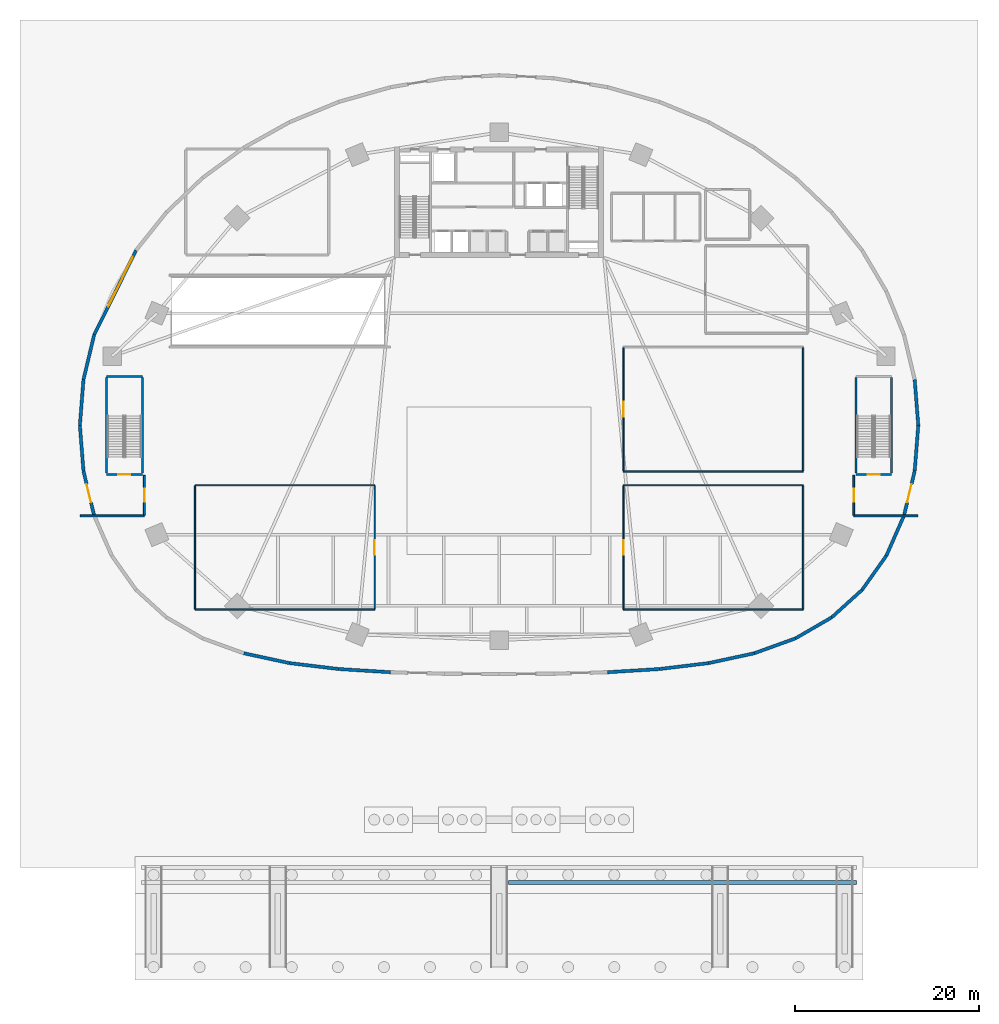
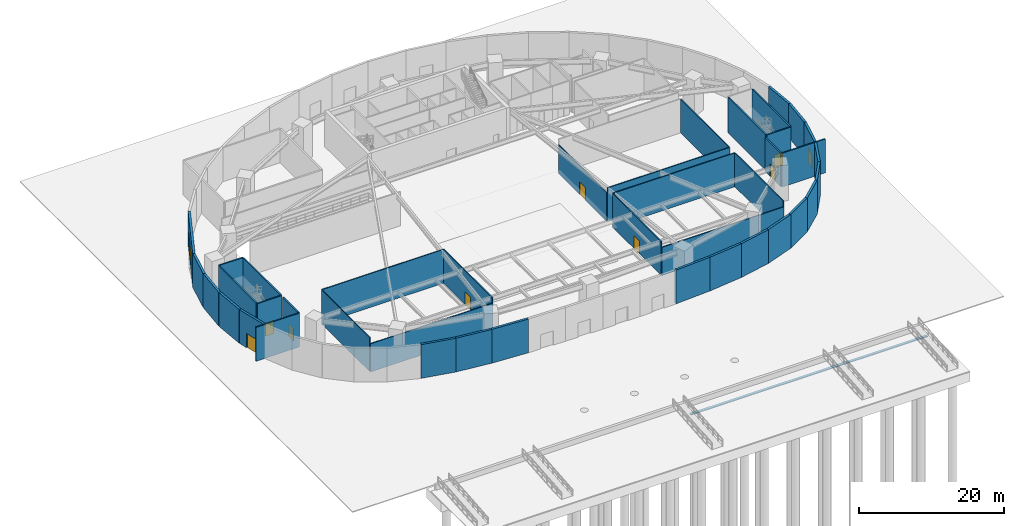
# One storey, part 3 of 14: 42 walls, 10 doors, 10 openings.
"""IFC4 building model written with IfcOpenShell, lengths in metres."""

from ifc_helpers import new_model, si_unit, direction, frame, frame_2d, origin, place, context, subcontext, project, spatial, rectangle, extrude, source, transform, mapped, material, layer, layer_set, type_object, type_shapes, element, fill, save


model = new_model("IFC4")

# Units and contexts
model_context = context("Model", 3, precision=1e-05, world=origin(), true_north=direction((0.0, 1.0)))
body_context = subcontext(model_context, "Body", "Model", "MODEL_VIEW")
ifc_project = project(units=[si_unit("LENGTHUNIT", "METRE"), si_unit("AREAUNIT", "SQUARE_METRE"), si_unit("VOLUMEUNIT", "CUBIC_METRE"), si_unit("PLANEANGLEUNIT", "RADIAN"), si_unit("MASSUNIT", "GRAM", prefix="KILO")], contexts=[model_context])

# Site, building, storey
site_placement = place(None, origin())
site = spatial("IfcSite", under=ifc_project, at=site_placement, CompositionType="ELEMENT")
building_placement = place(site_placement, origin())
building = spatial("IfcBuilding", under=site, at=building_placement, Name="Breltana Convention Tower", CompositionType="ELEMENT")
storey_placement = place(building_placement, origin())
storey = spatial("IfcBuildingStorey", under=building, at=storey_placement, Name="L00", CompositionType="ELEMENT", Elevation=0.0)

# Walls
ifc_material_1 = material(Name="Concrete C40/50", Category="concrete")
ifc_layer_1 = layer(ifc_material_1, 0.419921875, Name="Concrete C40/50")
ifc_layer_set_1 = layer_set([ifc_layer_1], Name="Concrete C40/50")
wall_type_1 = type_object("IfcWallType", Name="SW-BASE-420", PredefinedType="USERDEFINED", material=ifc_layer_set_1)
shared_shape_1 = source(origin(), body_context, "Body", "SweptSolid", [
    extrude(rectangle(XDim=37.800048828125, YDim=0.419921875, at=frame_2d((18.89990234375, 0.0))), origin(), (0.0, 0.0, 1.0), 0.139892578125),
])
wall_1_placement = place(storey_placement, frame((49.0, -7.60009765625, -1.199951171875), z_axis=(0.0, 0.0, 1.0), x_axis=(1.0, 0.0, 0.0)))
element("IfcWall", 1, at=wall_1_placement, inside=storey, type_object=wall_type_1, Name="L00 Street Apron North-East Bearing Wall", ObjectType="RETAININGWALL", PredefinedType="USERDEFINED", context=body_context, shape_type="MappedRepresentation", body=[
    mapped(shared_shape_1, transform((0.0, 0.0, 0.0), scale=1.0)),
])
ifc_material_2 = material(Name="Limestone Buff Insulated Wall", Category="masonry")
ifc_layer_2 = layer(ifc_material_2, 0.35009765625, Name="Limestone Buff Insulated Wall")
ifc_layer_set_2 = layer_set([ifc_layer_2], Name="Limestone Buff Insulated Wall")
wall_type_2 = type_object("IfcWallType", Name="WL-EXT-POD-350", PredefinedType="SOLIDWALL", material=ifc_layer_set_2)
shared_shape_2 = source(origin(), body_context, "Body", "SweptSolid", [
    extrude(rectangle(XDim=4.975341796875, YDim=0.35009765625, at=frame_2d((2.48779296875, 0.0))), origin(), (0.0, 0.0, 1.0), 5.699951171875),
])
type_shapes(wall_type_2, [shared_shape_2])
for number, where, z_axis, x_axis, name in (
    (2, (93.110595703125, 46.9599609375, 0.0), (0.0, 0.0, 1.0), (0.07826870534, -0.996932299489, 0.0), "L00 limestone facade wall 1"),
    (3, (2.5, 42.0, 0.0), (0.0, 0.0, 1.0), (0.07826870534, 0.996932299489, 0.0), "L00 limestone facade wall 24"),
    (4, (2.889404296875, 37.0400390625, 0.0), (0.0, 0.0, 1.0), (-0.07826870534, 0.996932299489, 0.0), "L00 limestone facade wall 25"),
    (5, (93.5, 42.0, 0.0), (0.0, 0.0, 1.0), (-0.07826870534, -0.996932299489, 0.0), "L00 limestone facade wall 48"),
):
    element("IfcWall", number, at=place(storey_placement, frame(where, z_axis=z_axis, x_axis=x_axis)), inside=storey, type_object=wall_type_2, Name=name, PredefinedType="SOLIDWALL", context=body_context, shape_type="MappedRepresentation", body=[
        mapped(shared_shape_2, transform((0.0, 0.0, 0.0), scale=1.0)),
    ])
shared_shape_3 = source(origin(), body_context, "Body", "SweptSolid", [
    extrude(rectangle(XDim=5.011474609375, YDim=0.35009765625, at=frame_2d((2.505859375, 0.0))), origin(), (0.0, 0.0, 1.0), 5.699951171875),
])
wall_2_placement = place(storey_placement, frame((2.889404296875, 46.9599609375, 0.0), z_axis=(0.0, 0.0, 1.0), x_axis=(0.23164248061, 0.972800987446, 0.0)))
element("IfcWall", 6, at=wall_2_placement, inside=storey, type_object=wall_type_2, Name="L00 limestone facade wall 23", PredefinedType="SOLIDWALL", context=body_context, shape_type="MappedRepresentation", body=[
    mapped(shared_shape_3, transform((0.0, 0.0, 0.0), scale=1.0)),
])

# Wall, opening, door
shared_shape_4 = source(origin(), body_context, "Body", "SweptSolid", [
    extrude(rectangle(XDim=10.22998046875, YDim=0.35009765625, at=frame_2d((5.114990234375, 0.0))), origin(), (0.0, 0.0, 1.0), 5.699951171875),
])
wall_3_placement = place(storey_placement, frame((4.05029296875, 51.835205078125, 0.0), z_axis=(0.0, 0.0, 1.0), x_axis=(0.444318817457, 0.895868733941, 0.0)))
wall_3 = element("IfcWall", 7, at=wall_3_placement, inside=storey, type_object=wall_type_2, Name="L00 limestone facade wall 21", PredefinedType="SOLIDWALL", context=body_context, shape_type="MappedRepresentation", body=[
    mapped(shared_shape_4, transform((0.0, 0.0, 0.0), scale=1.0)),
])
opening_1_placement = place(wall_3_placement, frame((3.43017578125, 0.0, 0.0)))
opening_1 = element("IfcOpeningElement", 8, at=opening_1_placement, cuts=wall_3, Name="Opening VG-01", PredefinedType="OPENING", context=body_context, shape_type="SweptSolid", body=[
    extrude(rectangle(XDim=6.0, YDim=3.199951171875, at=frame_2d((3.0, 1.60009765625))), frame((0.0, 0.18505859375, 0.0), z_axis=(0.0, -1.0, 0.0), x_axis=(1.0, 0.0, 0.0)), (0.0, 0.0, 1.0), 0.3701171875),
])
ifc_material_3 = material(Name="Aluminium Perforated Security Shutter", Category="aluminium")
door_type_1 = type_object("IfcDoorType", Name="DR-SHUTTER-RAMP-6200", OperationType="ROLLINGUP", PredefinedType="GATE", material=ifc_material_3)
shared_shape_5 = source(origin(), body_context, "Body", "SweptSolid", [
    extrude(rectangle(XDim=6.0, YDim=3.199951171875, at=frame_2d((3.0, 1.60009765625))), frame((0.0, 0.02490234375, 0.0), z_axis=(0.0, -1.0, 0.0), x_axis=(1.0, 0.0, 0.0)), (0.0, 0.0, 1.0), 0.050048828125),
])
type_shapes(door_type_1, [shared_shape_5])
door_1_placement = place(opening_1_placement, origin())
door_1 = element("IfcDoor", 9, at=door_1_placement, inside=storey, type_object=door_type_1, Name="Ground car-park ramp portal vehicular entry roller shutter VG-01", OperationType="ROLLINGUP", OverallHeight=3.199951171875, OverallWidth=6.0, PredefinedType="GATE", context=body_context, shape_type="MappedRepresentation", body=[
    mapped(shared_shape_5, transform((0.0, 0.0, 0.0), scale=1.0)),
])
fill(opening_1, door_1)

shared_shape_6 = source(origin(), body_context, "Body", "SweptSolid", [
    extrude(rectangle(XDim=4.968994140625, YDim=0.35009765625, at=frame_2d((2.484375, 0.0))), origin(), (0.0, 0.0, 1.0), 5.699951171875),
])
wall_4_placement = place(storey_placement, frame((4.05029296875, 32.20849609375, 0.0), z_axis=(0.0, 0.0, 1.0), x_axis=(-0.233623809029, 0.972327062184, 0.0)))
wall_4 = element("IfcWall", 10, at=wall_4_placement, inside=storey, type_object=wall_type_2, Name="L00 limestone facade wall 26", PredefinedType="SOLIDWALL", context=body_context, shape_type="MappedRepresentation", body=[
    mapped(shared_shape_6, transform((0.0, 0.0, 0.0), scale=1.0)),
])
opening_2_placement = place(wall_4_placement, frame((1.484619140625, 0.0, 0.0)))
opening_2 = element("IfcOpeningElement", 11, at=opening_2_placement, cuts=wall_4, Name="Opening ED-01", PredefinedType="OPENING", context=body_context, shape_type="SweptSolid", body=[
    extrude(rectangle(XDim=2.0, YDim=2.39990234375, at=frame_2d((1.0, 1.199951171875))), frame((0.0, 0.18505859375, 0.0), z_axis=(0.0, -1.0, 0.0), x_axis=(1.0, 0.0, 0.0)), (0.0, 0.0, 1.0), 0.3701171875),
])
ifc_material_4 = material(Name="Aluminium Bronze Glazed Door", Category="aluminium")
door_type_2 = type_object("IfcDoorType", Name="DR-EXT-DBL-2000", OperationType="DOUBLE_DOOR_SINGLE_SWING", PredefinedType="DOOR", material=ifc_material_4)
shared_shape_7 = source(origin(), body_context, "Body", "SweptSolid", [
    extrude(rectangle(XDim=2.0, YDim=2.39990234375, at=frame_2d((1.0, 1.199951171875))), frame((0.0, 0.02490234375, 0.0), z_axis=(0.0, -1.0, 0.0), x_axis=(1.0, 0.0, 0.0)), (0.0, 0.0, 1.0), 0.050048828125),
])
type_shapes(door_type_2, [shared_shape_7])
door_2_placement = place(opening_2_placement, origin())
door_2 = element("IfcDoor", 12, at=door_2_placement, inside=storey, type_object=door_type_2, Name="Protected exit passageway L00-EXP-W (ST-3) exterior exit door", OperationType="DOUBLE_DOOR_SINGLE_SWING", OverallHeight=2.39990234375, OverallWidth=2.0, PredefinedType="DOOR", context=body_context, shape_type="MappedRepresentation", body=[
    mapped(shared_shape_7, transform((0.0, 0.0, 0.0), scale=1.0)),
])
fill(opening_2, door_2)

wall_5_placement = place(storey_placement, frame((93.110595703125, 37.0400390625, 0.0), z_axis=(0.0, 0.0, 1.0), x_axis=(-0.233623809029, -0.972327062184, 0.0)))
wall_5 = element("IfcWall", 13, at=wall_5_placement, inside=storey, type_object=wall_type_2, Name="L00 limestone facade wall 47", PredefinedType="SOLIDWALL", context=body_context, shape_type="MappedRepresentation", body=[
    mapped(shared_shape_6, transform((0.0, 0.0, 0.0), scale=1.0)),
])
opening_3_placement = place(wall_5_placement, frame((1.484619140625, 0.0, 0.0)))
opening_3 = element("IfcOpeningElement", 14, at=opening_3_placement, cuts=wall_5, Name="Opening ED-01", PredefinedType="OPENING", context=body_context, shape_type="SweptSolid", body=[
    extrude(rectangle(XDim=2.0, YDim=2.39990234375, at=frame_2d((1.0, 1.199951171875))), frame((0.0, 0.18505859375, 0.0), z_axis=(0.0, -1.0, 0.0), x_axis=(1.0, 0.0, 0.0)), (0.0, 0.0, 1.0), 0.3701171875),
])
door_3_placement = place(opening_3_placement, origin())
door_3 = element("IfcDoor", 15, at=door_3_placement, inside=storey, type_object=door_type_2, Name="Protected exit passageway L00-EXP-E (ST-4) exterior exit door", OperationType="DOUBLE_DOOR_SINGLE_SWING", OverallHeight=2.39990234375, OverallWidth=2.0, PredefinedType="DOOR", context=body_context, shape_type="MappedRepresentation", body=[
    mapped(shared_shape_7, transform((0.0, 0.0, 0.0), scale=1.0)),
])
fill(opening_3, door_3)

# Walls
shared_shape_8 = source(origin(), body_context, "Body", "SweptSolid", [
    extrude(rectangle(XDim=4.756103515625, YDim=0.35009765625, at=frame_2d((2.3779296875, 0.0))), origin(), (0.0, 0.0, 1.0), 5.699951171875),
])
wall_6_placement = place(storey_placement, frame((91.94970703125, 32.20849609375, 0.0), z_axis=(0.0, 0.0, 1.0), x_axis=(-0.402248274654, -0.915530625123, 0.0)))
element("IfcWall", 16, at=wall_6_placement, inside=storey, type_object=wall_type_2, Name="L00 limestone facade wall 46", PredefinedType="SOLIDWALL", context=body_context, shape_type="MappedRepresentation", body=[
    mapped(shared_shape_8, transform((0.0, 0.0, 0.0), scale=1.0)),
])
shared_shape_9 = source(origin(), body_context, "Body", "SweptSolid", [
    extrude(rectangle(XDim=4.54833984375, YDim=0.35009765625, at=frame_2d((2.274169921875, 0.0))), origin(), (0.0, 0.0, 1.0), 5.699951171875),
])
wall_7_placement = place(storey_placement, frame((90.03662109375, 27.854248046875, 0.0), z_axis=(0.0, 0.0, 1.0), x_axis=(-0.578742399763, -0.815510413616, 0.0)))
element("IfcWall", 17, at=wall_7_placement, inside=storey, type_object=wall_type_2, Name="L00 limestone facade wall 45", PredefinedType="SOLIDWALL", context=body_context, shape_type="MappedRepresentation", body=[
    mapped(shared_shape_9, transform((0.0, 0.0, 0.0), scale=1.0)),
])
shared_shape_10 = source(origin(), body_context, "Body", "SweptSolid", [
    extrude(rectangle(XDim=4.458740234375, YDim=0.35009765625, at=frame_2d((2.2294921875, 0.0))), origin(), (0.0, 0.0, 1.0), 5.699951171875),
])
wall_8_placement = place(storey_placement, frame((87.404296875, 24.14501953125, 0.0), z_axis=(0.0, 0.0, 1.0), x_axis=(-0.741620092595, -0.670820123625, 0.0)))
element("IfcWall", 18, at=wall_8_placement, inside=storey, type_object=wall_type_2, Name="L00 limestone facade wall 44", PredefinedType="SOLIDWALL", context=body_context, shape_type="MappedRepresentation", body=[
    mapped(shared_shape_10, transform((0.0, 0.0, 0.0), scale=1.0)),
])
shared_shape_11 = source(origin(), body_context, "Body", "SweptSolid", [
    extrude(rectangle(XDim=4.535400390625, YDim=0.35009765625, at=frame_2d((2.267578125, 0.0))), origin(), (0.0, 0.0, 1.0), 5.699951171875),
])
wall_9_placement = place(storey_placement, frame((84.09765625, 21.154052734375, 0.0), z_axis=(0.0, 0.0, 1.0), x_axis=(-0.86528620064, -0.501278157295, 0.0)))
element("IfcWall", 19, at=wall_9_placement, inside=storey, type_object=wall_type_2, Name="L00 limestone facade wall 43", PredefinedType="SOLIDWALL", context=body_context, shape_type="MappedRepresentation", body=[
    mapped(shared_shape_11, transform((0.0, 0.0, 0.0), scale=1.0)),
])
shared_shape_12 = source(origin(), body_context, "Body", "SweptSolid", [
    extrude(rectangle(XDim=4.75830078125, YDim=0.35009765625, at=frame_2d((2.379150390625, 0.0))), origin(), (0.0, 0.0, 1.0), 5.699951171875),
])
wall_10_placement = place(storey_placement, frame((80.17333984375, 18.880615234375, 0.0), z_axis=(0.0, 0.0, 1.0), x_axis=(-0.940419515454, -0.340016374538, 0.0)))
element("IfcWall", 20, at=wall_10_placement, inside=storey, type_object=wall_type_2, Name="L00 limestone facade wall 42", PredefinedType="SOLIDWALL", context=body_context, shape_type="MappedRepresentation", body=[
    mapped(shared_shape_12, transform((0.0, 0.0, 0.0), scale=1.0)),
])
shared_shape_13 = source(origin(), body_context, "Body", "SweptSolid", [
    extrude(rectangle(XDim=5.062255859375, YDim=0.35009765625, at=frame_2d((2.53125, 0.0))), origin(), (0.0, 0.0, 1.0), 5.699951171875),
])
for number, where, z_axis, x_axis, name in (
    (21, (25.25, 16.196044921875, 0.0), (0.0, 0.0, 1.0), (-0.977548321811, 0.210711363066, 0.0), "L00 limestone facade wall 32"),
    (22, (75.698486328125, 17.2626953125, 0.0), (0.0, 0.0, 1.0), (-0.977548321811, -0.210711363066, 0.0), "L00 limestone facade wall 41"),
):
    element("IfcWall", number, at=place(storey_placement, frame(where, z_axis=z_axis, x_axis=x_axis)), inside=storey, type_object=wall_type_2, Name=name, PredefinedType="SOLIDWALL", context=body_context, shape_type="MappedRepresentation", body=[
        mapped(shared_shape_13, transform((0.0, 0.0, 0.0), scale=1.0)),
    ])
shared_shape_14 = source(origin(), body_context, "Body", "SweptSolid", [
    extrude(rectangle(XDim=5.37646484375, YDim=0.35009765625, at=frame_2d((2.688232421875, 0.0))), origin(), (0.0, 0.0, 1.0), 5.699951171875),
])
for number, where, z_axis, x_axis, name in (
    (23, (30.587890625, 15.552734375, 0.0), (0.0, 0.0, 1.0), (-0.992815901624, 0.119651934723, 0.0), "L00 limestone facade wall 33"),
    (24, (70.75, 16.196044921875, 0.0), (0.0, 0.0, 1.0), (-0.992815901624, -0.119651934723, 0.0), "L00 limestone facade wall 40"),
):
    element("IfcWall", number, at=place(storey_placement, frame(where, z_axis=z_axis, x_axis=x_axis)), inside=storey, type_object=wall_type_2, Name=name, PredefinedType="SOLIDWALL", context=body_context, shape_type="MappedRepresentation", body=[
        mapped(shared_shape_14, transform((0.0, 0.0, 0.0), scale=1.0)),
    ])
shared_shape_15 = source(origin(), body_context, "Body", "SweptSolid", [
    extrude(rectangle(XDim=5.646484375, YDim=0.35009765625, at=frame_2d((2.8232421875, 0.0))), origin(), (0.0, 0.0, 1.0), 5.699951171875),
])
for number, where, z_axis, x_axis, name in (
    (25, (36.2236328125, 15.205078125, 0.0), (0.0, 0.0, 1.0), (-0.998102723982, 0.061570710403, 0.0), "L00 limestone facade wall 34"),
    (26, (65.412109375, 15.552734375, 0.0), (0.0, 0.0, 1.0), (-0.998102723982, -0.061570710403, 0.0), "L00 limestone facade wall 39"),
):
    element("IfcWall", number, at=place(storey_placement, frame(where, z_axis=z_axis, x_axis=x_axis)), inside=storey, type_object=wall_type_2, Name=name, PredefinedType="SOLIDWALL", context=body_context, shape_type="MappedRepresentation", body=[
        mapped(shared_shape_15, transform((0.0, 0.0, 0.0), scale=1.0)),
    ])

# Wall, opening, door
ifc_layer_3 = layer(ifc_material_1, 0.219970703125, Name="Concrete C40/50")
ifc_layer_set_3 = layer_set([ifc_layer_3], Name="Concrete C40/50")
wall_type_3 = type_object("IfcWallType", Name="WL-SHAFT-220", PredefinedType="SOLIDWALL", material=ifc_layer_set_3)
shared_shape_16 = source(origin(), body_context, "Body", "SweptSolid", [
    extrude(rectangle(XDim=3.89013671875, YDim=0.219970703125, at=frame_2d((1.945068359375, 0.0))), origin(), (0.0, 0.0, 1.0), 6.0),
])
wall_11_placement = place(storey_placement, frame((5.389892578125, 36.68994140625, 0.0), z_axis=(0.0, 0.0, 1.0), x_axis=(1.0, 0.0, 0.0)))
wall_11 = element("IfcWall", 27, at=wall_11_placement, inside=storey, type_object=wall_type_3, Name="L00 interior partition W-L00-ST3-S", PredefinedType="SOLIDWALL", context=body_context, shape_type="MappedRepresentation", body=[
    mapped(shared_shape_16, transform((0.0, 0.0, 0.0), scale=1.0)),
])
opening_4_placement = place(wall_11_placement, frame((1.294921875, 0.0, 0.0)))
opening_4 = element("IfcOpeningElement", 28, at=opening_4_placement, cuts=wall_11, Name="Opening D-08", PredefinedType="OPENING", context=body_context, shape_type="SweptSolid", body=[
    extrude(rectangle(XDim=1.300048828125, YDim=2.14990234375, at=frame_2d((0.64990234375, 1.074951171875))), frame((0.0, 0.1201171875, 0.0), z_axis=(0.0, -1.0, 0.0), x_axis=(1.0, 0.0, 0.0)), (0.0, 0.0, 1.0), 0.239990234375),
])
ifc_material_5 = material(Name="Steel Fire Exit Door", Category="steel")
door_type_3 = type_object("IfcDoorType", Name="DR-FD120-1300", OperationType="NOTDEFINED", PredefinedType="DOOR", material=ifc_material_5)
shared_shape_17 = source(origin(), body_context, "Body", "SweptSolid", [
    extrude(rectangle(XDim=1.300048828125, YDim=2.14990234375, at=frame_2d((0.64990234375, 1.074951171875))), frame((0.0, 0.02490234375, 0.0), z_axis=(0.0, -1.0, 0.0), x_axis=(1.0, 0.0, 0.0)), (0.0, 0.0, 1.0), 0.050048828125),
])
type_shapes(door_type_3, [shared_shape_17])
door_4_placement = place(opening_4_placement, origin())
door_4 = element("IfcDoor", 29, at=door_4_placement, inside=storey, type_object=door_type_3, Name="L00 interior door D-L00-ST3", OperationType="SINGLE_SWING_RIGHT", OverallHeight=2.14990234375, OverallWidth=1.300048828125, PredefinedType="DOOR", context=body_context, shape_type="MappedRepresentation", body=[
    mapped(shared_shape_17, transform((0.0, 0.0, 0.0), scale=1.0)),
])
fill(opening_4, door_4)

# Wall
wall_12_placement = place(storey_placement, frame((5.389892578125, 47.31005859375, 0.0), z_axis=(0.0, 0.0, 1.0), x_axis=(1.0, 0.0, 0.0)))
element("IfcWall", 30, at=wall_12_placement, inside=storey, type_object=wall_type_3, Name="L00 interior partition W-L00-ST3-N", PredefinedType="SOLIDWALL", context=body_context, shape_type="MappedRepresentation", body=[
    mapped(shared_shape_16, transform((0.0, 0.0, 0.0), scale=1.0)),
])

# Wall, opening, door
wall_13_placement = place(storey_placement, frame((86.719970703125, 36.68994140625, 0.0), z_axis=(0.0, 0.0, 1.0), x_axis=(1.0, 0.0, 0.0)))
wall_13 = element("IfcWall", 31, at=wall_13_placement, inside=storey, type_object=wall_type_3, Name="L00 interior partition W-L00-ST4-S", PredefinedType="SOLIDWALL", context=body_context, shape_type="MappedRepresentation", body=[
    mapped(shared_shape_16, transform((0.0, 0.0, 0.0), scale=1.0)),
])
opening_5_placement = place(wall_13_placement, frame((1.294921875, 0.0, 0.0)))
opening_5 = element("IfcOpeningElement", 32, at=opening_5_placement, cuts=wall_13, Name="Opening D-08", PredefinedType="OPENING", context=body_context, shape_type="SweptSolid", body=[
    extrude(rectangle(XDim=1.300048828125, YDim=2.14990234375, at=frame_2d((0.64990234375, 1.074951171875))), frame((0.0, 0.1201171875, 0.0), z_axis=(0.0, -1.0, 0.0), x_axis=(1.0, 0.0, 0.0)), (0.0, 0.0, 1.0), 0.239990234375),
])
door_5_placement = place(opening_5_placement, origin())
door_5 = element("IfcDoor", 33, at=door_5_placement, inside=storey, type_object=door_type_3, Name="L00 interior door D-L00-ST4", OperationType="SINGLE_SWING_RIGHT", OverallHeight=2.14990234375, OverallWidth=1.300048828125, PredefinedType="DOOR", context=body_context, shape_type="MappedRepresentation", body=[
    mapped(shared_shape_17, transform((0.0, 0.0, 0.0), scale=1.0)),
])
fill(opening_5, door_5)

# Walls
shared_shape_18 = source(origin(), body_context, "Body", "SweptSolid", [
    extrude(rectangle(XDim=10.3798828125, YDim=0.219970703125, at=frame_2d((5.18994140625, 0.0))), origin(), (0.0, 0.0, 1.0), 6.0),
])
for number, where, z_axis, x_axis, name in (
    (34, (5.389892578125, 36.81005859375, 0.0), (0.0, 0.0, 1.0), (0.0, 1.0, 0.0), "L00 interior partition W-L00-ST3-W"),
    (35, (9.280029296875, 36.81005859375, 0.0), (0.0, 0.0, 1.0), (0.0, 1.0, 0.0), "L00 interior partition W-L00-ST3-E"),
    (36, (86.719970703125, 36.81005859375, 0.0), (0.0, 0.0, 1.0), (0.0, 1.0, 0.0), "L00 interior partition W-L00-ST4-W"),
    (37, (90.610107421875, 36.81005859375, 0.0), (0.0, 0.0, 1.0), (0.0, 1.0, 0.0), "L00 interior partition W-L00-ST4-E"),
):
    element("IfcWall", number, at=place(storey_placement, frame(where, z_axis=z_axis, x_axis=x_axis)), inside=storey, type_object=wall_type_3, Name=name, PredefinedType="SOLIDWALL", context=body_context, shape_type="MappedRepresentation", body=[
        mapped(shared_shape_18, transform((0.0, 0.0, 0.0), scale=1.0)),
    ])
ifc_material_6 = material(Name="Autoclaved Aerated Concrete Block", Category="concrete")
ifc_layer_4 = layer(ifc_material_6, 0.199951171875, Name="Autoclaved Aerated Concrete Block")
ifc_layer_set_4 = layer_set([ifc_layer_4], Name="Autoclaved Aerated Concrete Block")
wall_type_4 = type_object("IfcWallType", Name="WL-SHAFT-200", PredefinedType="SOLIDWALL", material=ifc_layer_set_4)
shared_shape_19 = source(origin(), body_context, "Body", "SweptSolid", [
    extrude(rectangle(XDim=6.949951171875, YDim=0.199951171875, at=frame_2d((3.47509765625, 0.0))), origin(), (0.0, 0.0, 1.0), 5.699951171875),
])
for number, where, z_axis, x_axis, name in (
    (38, (2.550048828125, 32.179931640625, 0.0), (0.0, 0.0, 1.0), (1.0, 0.0, 0.0), "L00 interior partition W-L00-EXP-W-S"),
    (39, (86.5, 32.179931640625, 0.0), (0.0, 0.0, 1.0), (1.0, 0.0, 0.0), "L00 interior partition W-L00-EXP-E-S"),
):
    element("IfcWall", number, at=place(storey_placement, frame(where, z_axis=z_axis, x_axis=x_axis)), inside=storey, type_object=wall_type_4, Name=name, PredefinedType="SOLIDWALL", context=body_context, shape_type="MappedRepresentation", body=[
        mapped(shared_shape_19, transform((0.0, 0.0, 0.0), scale=1.0)),
    ])

# Wall, opening, door
shared_shape_20 = source(origin(), body_context, "Body", "SweptSolid", [
    extrude(rectangle(XDim=4.2900390625, YDim=0.199951171875, at=frame_2d((2.14501953125, 0.0))), origin(), (0.0, 0.0, 1.0), 5.699951171875),
])
wall_14_placement = place(storey_placement, frame((9.5, 32.27001953125, 0.0), z_axis=(0.0, 0.0, 1.0), x_axis=(0.0, 1.0, 0.0)))
wall_14 = element("IfcWall", 40, at=wall_14_placement, inside=storey, type_object=wall_type_4, Name="L00 interior partition W-L00-EXP-W-E", PredefinedType="SOLIDWALL", context=body_context, shape_type="MappedRepresentation", body=[
    mapped(shared_shape_20, transform((0.0, 0.0, 0.0), scale=1.0)),
])
opening_6_placement = place(wall_14_placement, frame((1.445068359375, 0.0, 0.0)))
opening_6 = element("IfcOpeningElement", 41, at=opening_6_placement, cuts=wall_14, Name="Opening D-07", PredefinedType="OPENING", context=body_context, shape_type="SweptSolid", body=[
    extrude(rectangle(XDim=1.39990234375, YDim=2.14990234375, at=frame_2d((0.699951171875, 1.074951171875))), frame((0.0, 0.10986328125, 0.0), z_axis=(0.0, -1.0, 0.0), x_axis=(1.0, 0.0, 0.0)), (0.0, 0.0, 1.0), 0.219970703125),
])
door_type_4 = type_object("IfcDoorType", Name="DR-FD120-1400", OperationType="NOTDEFINED", PredefinedType="DOOR", material=ifc_material_5)
shared_shape_21 = source(origin(), body_context, "Body", "SweptSolid", [
    extrude(rectangle(XDim=1.39990234375, YDim=2.14990234375, at=frame_2d((0.699951171875, 1.074951171875))), frame((0.0, 0.02490234375, 0.0), z_axis=(0.0, -1.0, 0.0), x_axis=(1.0, 0.0, 0.0)), (0.0, 0.0, 1.0), 0.050048828125),
])
type_shapes(door_type_4, [shared_shape_21])
door_6_placement = place(opening_6_placement, origin())
door_6 = element("IfcDoor", 42, at=door_6_placement, inside=storey, type_object=door_type_4, Name="L00 interior door D-L00-EXP-W", OperationType="SINGLE_SWING_LEFT", OverallHeight=2.14990234375, OverallWidth=1.39990234375, PredefinedType="DOOR", context=body_context, shape_type="MappedRepresentation", body=[
    mapped(shared_shape_21, transform((0.0, 0.0, 0.0), scale=1.0)),
])
fill(opening_6, door_6)

wall_15_placement = place(storey_placement, frame((86.5, 32.27001953125, 0.0), z_axis=(0.0, 0.0, 1.0), x_axis=(0.0, 1.0, 0.0)))
wall_15 = element("IfcWall", 43, at=wall_15_placement, inside=storey, type_object=wall_type_4, Name="L00 interior partition W-L00-EXP-E-W", PredefinedType="SOLIDWALL", context=body_context, shape_type="MappedRepresentation", body=[
    mapped(shared_shape_20, transform((0.0, 0.0, 0.0), scale=1.0)),
])
opening_7_placement = place(wall_15_placement, frame((1.445068359375, 0.0, 0.0)))
opening_7 = element("IfcOpeningElement", 44, at=opening_7_placement, cuts=wall_15, Name="Opening D-07", PredefinedType="OPENING", context=body_context, shape_type="SweptSolid", body=[
    extrude(rectangle(XDim=1.39990234375, YDim=2.14990234375, at=frame_2d((0.699951171875, 1.074951171875))), frame((0.0, 0.10986328125, 0.0), z_axis=(0.0, -1.0, 0.0), x_axis=(1.0, 0.0, 0.0)), (0.0, 0.0, 1.0), 0.219970703125),
])
door_7_placement = place(opening_7_placement, origin())
door_7 = element("IfcDoor", 45, at=door_7_placement, inside=storey, type_object=door_type_4, Name="L00 interior door D-L00-EXP-E", OperationType="SINGLE_SWING_RIGHT", OverallHeight=2.14990234375, OverallWidth=1.39990234375, PredefinedType="DOOR", context=body_context, shape_type="MappedRepresentation", body=[
    mapped(shared_shape_21, transform((0.0, 0.0, 0.0), scale=1.0)),
])
fill(opening_7, door_7)

# Walls
ifc_material_7 = material(Name="Gypsum Acoustic Drywall Partition")
ifc_layer_5 = layer(ifc_material_7, 0.14990234375, Name="Gypsum Acoustic Drywall Partition")
ifc_layer_set_5 = layer_set([ifc_layer_5], Name="Gypsum Acoustic Drywall Partition")
wall_type_5 = type_object("IfcWallType", Name="WL-PART-150", PredefinedType="PARTITIONING", material=ifc_layer_set_5)
shared_shape_22 = source(origin(), body_context, "Body", "SweptSolid", [
    extrude(rectangle(XDim=19.5, YDim=0.14990234375, at=frame_2d((9.75, 0.0))), origin(), (0.0, 0.0, 1.0), 4.760986328125),
])
type_shapes(wall_type_5, [shared_shape_22])
for number, where, z_axis, x_axis, name in (
    (46, (15.0, 22.0, 0.0), (0.0, 0.0, 1.0), (1.0, 0.0, 0.0), "L00 interior partition W-L00-REG-S"),
    (47, (61.5, 22.0, 0.0), (0.0, 0.0, 1.0), (1.0, 0.0, 0.0), "L00 interior partition W-L00-DIN-S"),
):
    element("IfcWall", number, at=place(storey_placement, frame(where, z_axis=z_axis, x_axis=x_axis)), inside=storey, type_object=wall_type_5, Name=name, PredefinedType="PARTITIONING", context=body_context, shape_type="MappedRepresentation", body=[
        mapped(shared_shape_22, transform((0.0, 0.0, 0.0), scale=1.0)),
    ])
shared_shape_23 = source(origin(), body_context, "Body", "SweptSolid", [
    extrude(rectangle(XDim=19.5, YDim=0.14990234375, at=frame_2d((9.75, 0.0))), origin(), (0.0, 0.0, 1.0), 5.699951171875),
])
for number, where, z_axis, x_axis, name in (
    (48, (15.0, 35.5, 0.0), (0.0, 0.0, 1.0), (1.0, 0.0, 0.0), "L00 interior partition W-L00-REG-N"),
    (49, (61.5, 35.5, 0.0), (0.0, 0.0, 1.0), (1.0, 0.0, 0.0), "L00 interior partition W-L00-DIN-N"),
    (50, (61.5, 37.0, 0.0), (0.0, 0.0, 1.0), (1.0, 0.0, 0.0), "L00 interior partition W-L00-RTL-S"),
):
    element("IfcWall", number, at=place(storey_placement, frame(where, z_axis=z_axis, x_axis=x_axis)), inside=storey, type_object=wall_type_5, Name=name, PredefinedType="PARTITIONING", context=body_context, shape_type="MappedRepresentation", body=[
        mapped(shared_shape_23, transform((0.0, 0.0, 0.0), scale=1.0)),
    ])
shared_shape_24 = source(origin(), body_context, "Body", "SweptSolid", [
    extrude(rectangle(XDim=13.365234375, YDim=0.14990234375, at=frame_2d((6.6826171875, 0.0))), origin(), (0.0, 0.0, 1.0), 5.699951171875),
])
wall_16_placement = place(storey_placement, frame((15.0, 22.0673828125, 0.0), z_axis=(0.0, 0.0, 1.0), x_axis=(0.0, 1.0, 0.0)))
element("IfcWall", 51, at=wall_16_placement, inside=storey, type_object=wall_type_5, Name="L00 interior partition W-L00-REG-W", PredefinedType="PARTITIONING", context=body_context, shape_type="MappedRepresentation", body=[
    mapped(shared_shape_24, transform((0.0, 0.0, 0.0), scale=1.0)),
])

# Wall, opening, door
wall_17_placement = place(storey_placement, frame((34.5, 22.0673828125, 0.0), z_axis=(0.0, 0.0, 1.0), x_axis=(0.0, 1.0, 0.0)))
wall_17 = element("IfcWall", 52, at=wall_17_placement, inside=storey, type_object=wall_type_5, Name="L00 interior partition W-L00-REG-E", PredefinedType="PARTITIONING", context=body_context, shape_type="MappedRepresentation", body=[
    mapped(shared_shape_24, transform((0.0, 0.0, 0.0), scale=1.0)),
])
opening_8_placement = place(wall_17_placement, frame((5.882568359375, 0.0, 0.0)))
opening_8 = element("IfcOpeningElement", 53, at=opening_8_placement, cuts=wall_17, Name="Opening D-03", PredefinedType="OPENING", context=body_context, shape_type="SweptSolid", body=[
    extrude(rectangle(XDim=1.60009765625, YDim=2.14990234375, at=frame_2d((0.800048828125, 1.074951171875))), frame((0.0, 0.0849609375, 0.0), z_axis=(0.0, -1.0, 0.0), x_axis=(1.0, 0.0, 0.0)), (0.0, 0.0, 1.0), 0.169921875),
])
ifc_material_8 = material(Name="Aluminium Bronze Framed Glass Door", Category="aluminium")
door_type_5 = type_object("IfcDoorType", Name="DR-DBL-1600", OperationType="DOUBLE_DOOR_SINGLE_SWING", PredefinedType="DOOR", material=ifc_material_8)
shared_shape_25 = source(origin(), body_context, "Body", "SweptSolid", [
    extrude(rectangle(XDim=1.60009765625, YDim=2.14990234375, at=frame_2d((0.800048828125, 1.074951171875))), frame((0.0, 0.02490234375, 0.0), z_axis=(0.0, -1.0, 0.0), x_axis=(1.0, 0.0, 0.0)), (0.0, 0.0, 1.0), 0.050048828125),
])
type_shapes(door_type_5, [shared_shape_25])
door_8_placement = place(opening_8_placement, origin())
door_8 = element("IfcDoor", 54, at=door_8_placement, inside=storey, type_object=door_type_5, Name="L00 interior door D-L00-REG", OperationType="SINGLE_SWING_LEFT", OverallHeight=2.14990234375, OverallWidth=1.60009765625, PredefinedType="DOOR", context=body_context, shape_type="MappedRepresentation", body=[
    mapped(shared_shape_25, transform((0.0, 0.0, 0.0), scale=1.0)),
])
fill(opening_8, door_8)

wall_18_placement = place(storey_placement, frame((61.5, 22.0673828125, 0.0), z_axis=(0.0, 0.0, 1.0), x_axis=(0.0, 1.0, 0.0)))
wall_18 = element("IfcWall", 55, at=wall_18_placement, inside=storey, type_object=wall_type_5, Name="L00 interior partition W-L00-DIN-W", PredefinedType="PARTITIONING", context=body_context, shape_type="MappedRepresentation", body=[
    mapped(shared_shape_24, transform((0.0, 0.0, 0.0), scale=1.0)),
])
opening_9_placement = place(wall_18_placement, frame((5.882568359375, 0.0, 0.0)))
opening_9 = element("IfcOpeningElement", 56, at=opening_9_placement, cuts=wall_18, Name="Opening D-03", PredefinedType="OPENING", context=body_context, shape_type="SweptSolid", body=[
    extrude(rectangle(XDim=1.60009765625, YDim=2.14990234375, at=frame_2d((0.800048828125, 1.074951171875))), frame((0.0, 0.0849609375, 0.0), z_axis=(0.0, -1.0, 0.0), x_axis=(1.0, 0.0, 0.0)), (0.0, 0.0, 1.0), 0.169921875),
])
door_9_placement = place(opening_9_placement, origin())
door_9 = element("IfcDoor", 57, at=door_9_placement, inside=storey, type_object=door_type_5, Name="L00 interior door D-L00-DIN", OperationType="SINGLE_SWING_RIGHT", OverallHeight=2.14990234375, OverallWidth=1.60009765625, PredefinedType="DOOR", context=body_context, shape_type="MappedRepresentation", body=[
    mapped(shared_shape_25, transform((0.0, 0.0, 0.0), scale=1.0)),
])
fill(opening_9, door_9)

# Walls
for number, where, z_axis, x_axis, name in (
    (58, (81.0, 22.0673828125, 0.0), (0.0, 0.0, 1.0), (0.0, 1.0, 0.0), "L00 interior partition W-L00-DIN-E"),
    (59, (81.0, 37.0673828125, 0.0), (0.0, 0.0, 1.0), (0.0, 1.0, 0.0), "L00 interior partition W-L00-RTL-E"),
):
    element("IfcWall", number, at=place(storey_placement, frame(where, z_axis=z_axis, x_axis=x_axis)), inside=storey, type_object=wall_type_5, Name=name, PredefinedType="PARTITIONING", context=body_context, shape_type="MappedRepresentation", body=[
        mapped(shared_shape_24, transform((0.0, 0.0, 0.0), scale=1.0)),
    ])

# Wall, opening, door
shared_shape_26 = source(origin(), body_context, "Body", "SweptSolid", [
    extrude(rectangle(XDim=13.365234375, YDim=0.14990234375, at=frame_2d((6.6826171875, 0.0))), origin(), (0.0, 0.0, 1.0), 4.833984375),
])
wall_19_placement = place(storey_placement, frame((61.5, 37.0673828125, 0.0), z_axis=(0.0, 0.0, 1.0), x_axis=(0.0, 1.0, 0.0)))
wall_19 = element("IfcWall", 60, at=wall_19_placement, inside=storey, type_object=wall_type_5, Name="L00 interior partition W-L00-RTL-W", PredefinedType="PARTITIONING", context=body_context, shape_type="MappedRepresentation", body=[
    mapped(shared_shape_26, transform((0.0, 0.0, 0.0), scale=1.0)),
])
opening_10_placement = place(wall_19_placement, frame((5.882568359375, 0.0, 0.0)))
opening_10 = element("IfcOpeningElement", 61, at=opening_10_placement, cuts=wall_19, Name="Opening D-03", PredefinedType="OPENING", context=body_context, shape_type="SweptSolid", body=[
    extrude(rectangle(XDim=1.60009765625, YDim=2.14990234375, at=frame_2d((0.800048828125, 1.074951171875))), frame((0.0, 0.0849609375, 0.0), z_axis=(0.0, -1.0, 0.0), x_axis=(1.0, 0.0, 0.0)), (0.0, 0.0, 1.0), 0.169921875),
])
door_10_placement = place(opening_10_placement, origin())
door_10 = element("IfcDoor", 62, at=door_10_placement, inside=storey, type_object=door_type_5, Name="L00 interior door D-L00-RTL", OperationType="SINGLE_SWING_RIGHT", OverallHeight=2.14990234375, OverallWidth=1.60009765625, PredefinedType="DOOR", context=body_context, shape_type="MappedRepresentation", body=[
    mapped(shared_shape_25, transform((0.0, 0.0, 0.0), scale=1.0)),
])
fill(opening_10, door_10)

save(model, "model.ifc")
